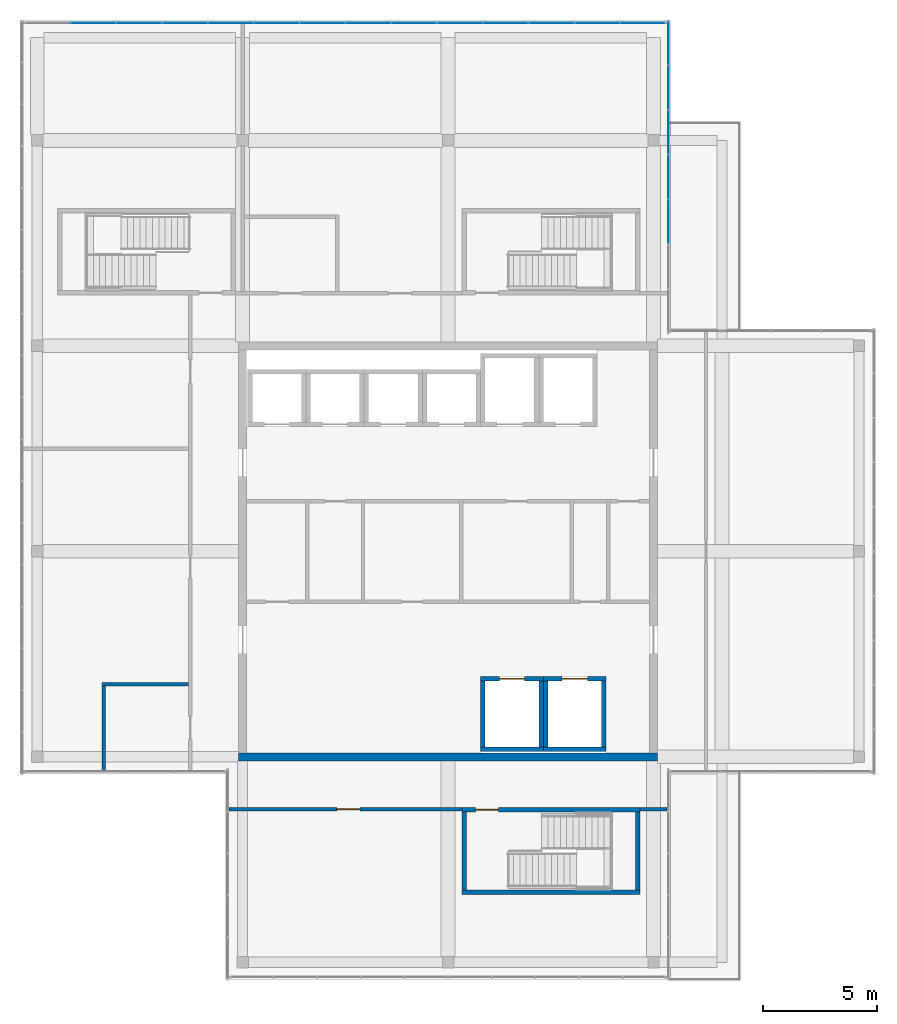
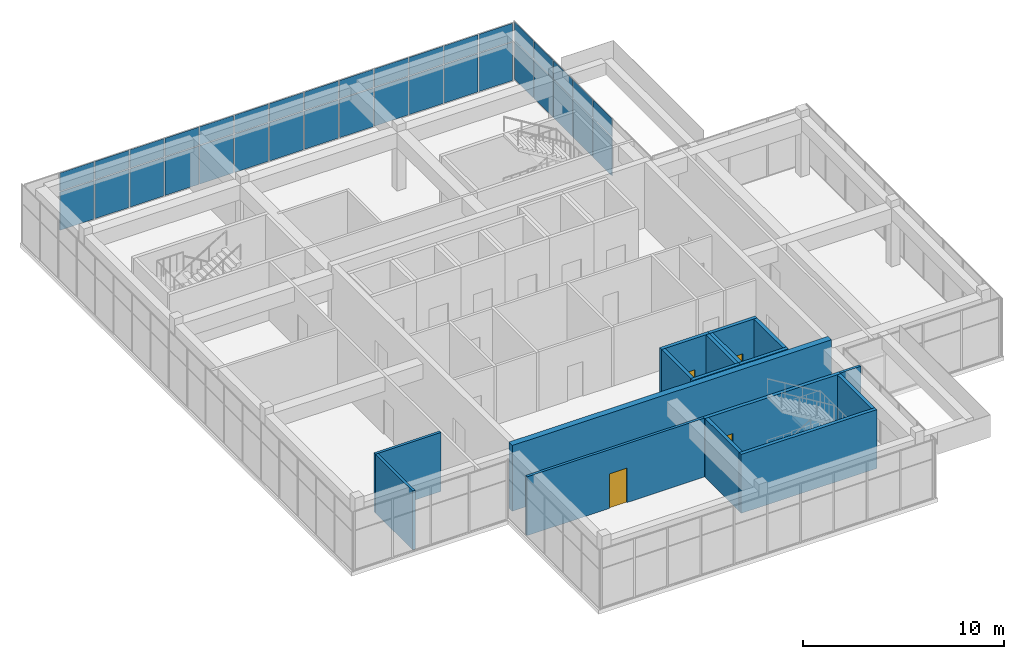
# One storey, part 32 of 36: 36 plates, 17 walls, 4 doors, 4 openings, 2 elements without a shape of their own.
"""IFC4 building model written with IfcOpenShell, lengths in metres."""

from ifc_helpers import new_model, si_unit, direction, frame, frame_2d, origin, origin_2d, place, context, subcontext, project, spatial, rectangle, extrude, material, layer, layer_set, type_object, element, fill, aggregate, save


model = new_model("IFC4")

# Units and contexts
model_context = context("Model", 3, precision=1e-05, world=origin(), true_north=direction((0.0, 1.0)))
body_context = subcontext(model_context, "Body", "Model", "MODEL_VIEW")
ifc_project = project(units=[si_unit("LENGTHUNIT", "METRE"), si_unit("AREAUNIT", "SQUARE_METRE"), si_unit("VOLUMEUNIT", "CUBIC_METRE"), si_unit("PLANEANGLEUNIT", "RADIAN"), si_unit("MASSUNIT", "GRAM", prefix="KILO")], contexts=[model_context])

# Site, building, storey
site_placement = place(None, origin())
site = spatial("IfcSite", under=ifc_project, at=site_placement, CompositionType="ELEMENT")
building_placement = place(site_placement, origin())
building = spatial("IfcBuilding", under=site, at=building_placement, Name="Tuart Plaza Theatre", CompositionType="ELEMENT")
storey_placement = place(building_placement, frame((0.0, 0.0, 61.5)))
storey = spatial("IfcBuildingStorey", under=building, at=storey_placement, Name="L15", CompositionType="ELEMENT", Elevation=61.5)

# Curtain wall, plates
ifc_material_1 = material(Name="Aluminium and glass", Category="aluminium")
ifc_layer_1 = layer(ifc_material_1, 0.10009765625)
ifc_layer_set_1 = layer_set([ifc_layer_1], Name="CURTAIN WALL 2000 module")
curtain_wall_type = type_object("IfcCurtainWallType", Name="CURTAIN WALL 2000 module", PredefinedType="NOTDEFINED", material=ifc_layer_set_1)
curtain_wall_1_placement = place(storey_placement, origin())
curtain_wall_1 = element("IfcCurtainWall", 1, at=curtain_wall_1_placement, inside=storey, type_object=curtain_wall_type, Name="CW116", PredefinedType="NOTDEFINED")
ifc_material_2 = material(Name="Glass", Category="glass")
ifc_layer_2 = layer(ifc_material_2, 0.028076171875)
ifc_layer_set_2 = layer_set([ifc_layer_2], Name="CURTAIN PANEL double glazed 28")
plate_type = type_object("IfcPlateType", Name="CURTAIN PANEL double glazed 28", PredefinedType="CURTAIN_PANEL", material=ifc_layer_set_2)
plate_1_placement = place(storey_placement, frame((141.64990234375, 88.44287109375, 0.0498046875), z_axis=(0.0, 0.0, 1.0), x_axis=(0.0, 1.0, 0.0)))
plate_1 = element("IfcPlate", 2, at=plate_1_placement, type_object=plate_type, Name="CW116 panel 3.1", PredefinedType="CURTAIN_PANEL", context=body_context, shape_type="SweptSolid", body=[
    extrude(rectangle(XDim=1.9072265625, YDim=0.028076171875, at=origin_2d()), origin(), (0.0, 0.0, 1.0), 2.324951171875),
])
plate_2_placement = place(storey_placement, frame((141.64990234375, 88.44287109375, 2.425048828125), z_axis=(0.0, 0.0, 1.0), x_axis=(0.0, 1.0, 0.0)))
plate_2 = element("IfcPlate", 3, at=plate_2_placement, type_object=plate_type, Name="CW116 panel 3.2", PredefinedType="CURTAIN_PANEL", context=body_context, shape_type="SweptSolid", body=[
    extrude(rectangle(XDim=1.9072265625, YDim=0.028076171875, at=origin_2d()), origin(), (0.0, 0.0, 1.0), 1.10498046875),
])
plate_3_placement = place(storey_placement, frame((141.64990234375, 90.39990234375, 0.0498046875), z_axis=(0.0, 0.0, 1.0), x_axis=(0.0, 1.0, 0.0)))
plate_3 = element("IfcPlate", 4, at=plate_3_placement, type_object=plate_type, Name="CW116 panel 4.1", PredefinedType="CURTAIN_PANEL", context=body_context, shape_type="SweptSolid", body=[
    extrude(rectangle(XDim=1.9072265625, YDim=0.028076171875, at=origin_2d()), origin(), (0.0, 0.0, 1.0), 2.324951171875),
])
plate_4_placement = place(storey_placement, frame((141.64990234375, 90.39990234375, 2.425048828125), z_axis=(0.0, 0.0, 1.0), x_axis=(0.0, 1.0, 0.0)))
plate_4 = element("IfcPlate", 5, at=plate_4_placement, type_object=plate_type, Name="CW116 panel 4.2", PredefinedType="CURTAIN_PANEL", context=body_context, shape_type="SweptSolid", body=[
    extrude(rectangle(XDim=1.9072265625, YDim=0.028076171875, at=origin_2d()), origin(), (0.0, 0.0, 1.0), 1.10498046875),
])
plate_5_placement = place(storey_placement, frame((141.64990234375, 92.357177734375, 0.0498046875), z_axis=(0.0, 0.0, 1.0), x_axis=(0.0, 1.0, 0.0)))
plate_5 = element("IfcPlate", 6, at=plate_5_placement, type_object=plate_type, Name="CW116 panel 5.1", PredefinedType="CURTAIN_PANEL", context=body_context, shape_type="SweptSolid", body=[
    extrude(rectangle(XDim=1.9072265625, YDim=0.028076171875, at=origin_2d()), origin(), (0.0, 0.0, 1.0), 2.324951171875),
])
plate_6_placement = place(storey_placement, frame((141.64990234375, 92.357177734375, 2.425048828125), z_axis=(0.0, 0.0, 1.0), x_axis=(0.0, 1.0, 0.0)))
plate_6 = element("IfcPlate", 7, at=plate_6_placement, type_object=plate_type, Name="CW116 panel 5.2", PredefinedType="CURTAIN_PANEL", context=body_context, shape_type="SweptSolid", body=[
    extrude(rectangle(XDim=1.9072265625, YDim=0.028076171875, at=origin_2d()), origin(), (0.0, 0.0, 1.0), 1.10498046875),
])
plate_7_placement = place(storey_placement, frame((141.64990234375, 94.314208984375, 0.0498046875), z_axis=(0.0, 0.0, 1.0), x_axis=(0.0, 1.0, 0.0)))
plate_7 = element("IfcPlate", 8, at=plate_7_placement, type_object=plate_type, Name="CW116 panel 6.1", PredefinedType="CURTAIN_PANEL", context=body_context, shape_type="SweptSolid", body=[
    extrude(rectangle(XDim=1.9072265625, YDim=0.028076171875, at=origin_2d()), origin(), (0.0, 0.0, 1.0), 2.324951171875),
])
plate_8_placement = place(storey_placement, frame((141.64990234375, 94.314208984375, 2.425048828125), z_axis=(0.0, 0.0, 1.0), x_axis=(0.0, 1.0, 0.0)))
plate_8 = element("IfcPlate", 9, at=plate_8_placement, type_object=plate_type, Name="CW116 panel 6.2", PredefinedType="CURTAIN_PANEL", context=body_context, shape_type="SweptSolid", body=[
    extrude(rectangle(XDim=1.9072265625, YDim=0.028076171875, at=origin_2d()), origin(), (0.0, 0.0, 1.0), 1.10498046875),
])
plate_9_placement = place(storey_placement, frame((141.64990234375, 96.259033203125, 0.0498046875), z_axis=(0.0, 0.0, 1.0), x_axis=(0.0, 1.0, 0.0)))
plate_9 = element("IfcPlate", 10, at=plate_9_placement, type_object=plate_type, Name="CW116 panel 7.1", PredefinedType="CURTAIN_PANEL", context=body_context, shape_type="SweptSolid", body=[
    extrude(rectangle(XDim=1.882080078125, YDim=0.028076171875, at=origin_2d()), origin(), (0.0, 0.0, 1.0), 2.324951171875),
])
plate_10_placement = place(storey_placement, frame((141.64990234375, 96.259033203125, 2.425048828125), z_axis=(0.0, 0.0, 1.0), x_axis=(0.0, 1.0, 0.0)))
plate_10 = element("IfcPlate", 11, at=plate_10_placement, type_object=plate_type, Name="CW116 panel 7.2", PredefinedType="CURTAIN_PANEL", context=body_context, shape_type="SweptSolid", body=[
    extrude(rectangle(XDim=1.882080078125, YDim=0.028076171875, at=origin_2d()), origin(), (0.0, 0.0, 1.0), 1.10498046875),
])
aggregate(curtain_wall_1, [plate_1, plate_2, plate_3, plate_4, plate_5, plate_6, plate_7, plate_8, plate_9, plate_10])

curtain_wall_2_placement = place(storey_placement, origin())
curtain_wall_2 = element("IfcCurtainWall", 12, at=curtain_wall_2_placement, inside=storey, type_object=curtain_wall_type, Name="CW117", PredefinedType="NOTDEFINED")
plate_11_placement = place(storey_placement, frame((140.533935546875, 97.14990234375, 0.0498046875), z_axis=(0.0, 0.0, 1.0), x_axis=(-1.0, 0.0, 0.0)))
plate_11 = element("IfcPlate", 13, at=plate_11_placement, type_object=plate_type, Name="CW117 panel 1.1", PredefinedType="CURTAIN_PANEL", context=body_context, shape_type="SweptSolid", body=[
    extrude(rectangle(XDim=1.93212890625, YDim=0.028076171875, at=origin_2d()), origin(), (0.0, 0.0, 1.0), 2.324951171875),
])
plate_12_placement = place(storey_placement, frame((140.533935546875, 97.14990234375, 2.425048828125), z_axis=(0.0, 0.0, 1.0), x_axis=(-1.0, 0.0, 0.0)))
plate_12 = element("IfcPlate", 14, at=plate_12_placement, type_object=plate_type, Name="CW117 panel 1.2", PredefinedType="CURTAIN_PANEL", context=body_context, shape_type="SweptSolid", body=[
    extrude(rectangle(XDim=1.93212890625, YDim=0.028076171875, at=origin_2d()), origin(), (0.0, 0.0, 1.0), 1.10498046875),
])
plate_13_placement = place(storey_placement, frame((138.539306640625, 97.14990234375, 0.0498046875), z_axis=(0.0, 0.0, 1.0), x_axis=(-1.0, 0.0, 0.0)))
plate_13 = element("IfcPlate", 15, at=plate_13_placement, type_object=plate_type, Name="CW117 panel 2.1", PredefinedType="CURTAIN_PANEL", context=body_context, shape_type="SweptSolid", body=[
    extrude(rectangle(XDim=1.95703125, YDim=0.028076171875, at=origin_2d()), origin(), (0.0, 0.0, 1.0), 2.324951171875),
])
plate_14_placement = place(storey_placement, frame((138.539306640625, 97.14990234375, 2.425048828125), z_axis=(0.0, 0.0, 1.0), x_axis=(-1.0, 0.0, 0.0)))
plate_14 = element("IfcPlate", 16, at=plate_14_placement, type_object=plate_type, Name="CW117 panel 2.2", PredefinedType="CURTAIN_PANEL", context=body_context, shape_type="SweptSolid", body=[
    extrude(rectangle(XDim=1.95703125, YDim=0.028076171875, at=origin_2d()), origin(), (0.0, 0.0, 1.0), 1.10498046875),
])
plate_15_placement = place(storey_placement, frame((136.5322265625, 97.14990234375, 0.0498046875), z_axis=(0.0, 0.0, 1.0), x_axis=(-1.0, 0.0, 0.0)))
plate_15 = element("IfcPlate", 17, at=plate_15_placement, type_object=plate_type, Name="CW117 panel 3.1", PredefinedType="CURTAIN_PANEL", context=body_context, shape_type="SweptSolid", body=[
    extrude(rectangle(XDim=1.95703125, YDim=0.028076171875, at=origin_2d()), origin(), (0.0, 0.0, 1.0), 2.324951171875),
])
plate_16_placement = place(storey_placement, frame((136.5322265625, 97.14990234375, 2.425048828125), z_axis=(0.0, 0.0, 1.0), x_axis=(-1.0, 0.0, 0.0)))
plate_16 = element("IfcPlate", 18, at=plate_16_placement, type_object=plate_type, Name="CW117 panel 3.2", PredefinedType="CURTAIN_PANEL", context=body_context, shape_type="SweptSolid", body=[
    extrude(rectangle(XDim=1.95703125, YDim=0.028076171875, at=origin_2d()), origin(), (0.0, 0.0, 1.0), 1.10498046875),
])
plate_17_placement = place(storey_placement, frame((134.52490234375, 97.14990234375, 0.0498046875), z_axis=(0.0, 0.0, 1.0), x_axis=(-1.0, 0.0, 0.0)))
plate_17 = element("IfcPlate", 19, at=plate_17_placement, type_object=plate_type, Name="CW117 panel 4.1", PredefinedType="CURTAIN_PANEL", context=body_context, shape_type="SweptSolid", body=[
    extrude(rectangle(XDim=1.95703125, YDim=0.028076171875, at=origin_2d()), origin(), (0.0, 0.0, 1.0), 2.324951171875),
])
plate_18_placement = place(storey_placement, frame((134.52490234375, 97.14990234375, 2.425048828125), z_axis=(0.0, 0.0, 1.0), x_axis=(-1.0, 0.0, 0.0)))
plate_18 = element("IfcPlate", 20, at=plate_18_placement, type_object=plate_type, Name="CW117 panel 4.2", PredefinedType="CURTAIN_PANEL", context=body_context, shape_type="SweptSolid", body=[
    extrude(rectangle(XDim=1.95703125, YDim=0.028076171875, at=origin_2d()), origin(), (0.0, 0.0, 1.0), 1.10498046875),
])
plate_19_placement = place(storey_placement, frame((132.517822265625, 97.14990234375, 0.0498046875), z_axis=(0.0, 0.0, 1.0), x_axis=(-1.0, 0.0, 0.0)))
plate_19 = element("IfcPlate", 21, at=plate_19_placement, type_object=plate_type, Name="CW117 panel 5.1", PredefinedType="CURTAIN_PANEL", context=body_context, shape_type="SweptSolid", body=[
    extrude(rectangle(XDim=1.95703125, YDim=0.028076171875, at=origin_2d()), origin(), (0.0, 0.0, 1.0), 2.324951171875),
])
plate_20_placement = place(storey_placement, frame((132.517822265625, 97.14990234375, 2.425048828125), z_axis=(0.0, 0.0, 1.0), x_axis=(-1.0, 0.0, 0.0)))
plate_20 = element("IfcPlate", 22, at=plate_20_placement, type_object=plate_type, Name="CW117 panel 5.2", PredefinedType="CURTAIN_PANEL", context=body_context, shape_type="SweptSolid", body=[
    extrude(rectangle(XDim=1.95703125, YDim=0.028076171875, at=origin_2d()), origin(), (0.0, 0.0, 1.0), 1.10498046875),
])
plate_21_placement = place(storey_placement, frame((130.5107421875, 97.14990234375, 0.0498046875), z_axis=(0.0, 0.0, 1.0), x_axis=(-1.0, 0.0, 0.0)))
plate_21 = element("IfcPlate", 23, at=plate_21_placement, type_object=plate_type, Name="CW117 panel 6.1", PredefinedType="CURTAIN_PANEL", context=body_context, shape_type="SweptSolid", body=[
    extrude(rectangle(XDim=1.95703125, YDim=0.028076171875, at=origin_2d()), origin(), (0.0, 0.0, 1.0), 2.324951171875),
])
plate_22_placement = place(storey_placement, frame((130.5107421875, 97.14990234375, 2.425048828125), z_axis=(0.0, 0.0, 1.0), x_axis=(-1.0, 0.0, 0.0)))
plate_22 = element("IfcPlate", 24, at=plate_22_placement, type_object=plate_type, Name="CW117 panel 6.2", PredefinedType="CURTAIN_PANEL", context=body_context, shape_type="SweptSolid", body=[
    extrude(rectangle(XDim=1.95703125, YDim=0.028076171875, at=origin_2d()), origin(), (0.0, 0.0, 1.0), 1.10498046875),
])
plate_23_placement = place(storey_placement, frame((128.503662109375, 97.14990234375, 0.0498046875), z_axis=(0.0, 0.0, 1.0), x_axis=(-1.0, 0.0, 0.0)))
plate_23 = element("IfcPlate", 25, at=plate_23_placement, type_object=plate_type, Name="CW117 panel 7.1", PredefinedType="CURTAIN_PANEL", context=body_context, shape_type="SweptSolid", body=[
    extrude(rectangle(XDim=1.95703125, YDim=0.028076171875, at=origin_2d()), origin(), (0.0, 0.0, 1.0), 2.324951171875),
])
plate_24_placement = place(storey_placement, frame((128.503662109375, 97.14990234375, 2.425048828125), z_axis=(0.0, 0.0, 1.0), x_axis=(-1.0, 0.0, 0.0)))
plate_24 = element("IfcPlate", 26, at=plate_24_placement, type_object=plate_type, Name="CW117 panel 7.2", PredefinedType="CURTAIN_PANEL", context=body_context, shape_type="SweptSolid", body=[
    extrude(rectangle(XDim=1.95703125, YDim=0.028076171875, at=origin_2d()), origin(), (0.0, 0.0, 1.0), 1.10498046875),
])
plate_25_placement = place(storey_placement, frame((126.496337890625, 97.14990234375, 0.0498046875), z_axis=(0.0, 0.0, 1.0), x_axis=(-1.0, 0.0, 0.0)))
plate_25 = element("IfcPlate", 27, at=plate_25_placement, type_object=plate_type, Name="CW117 panel 8.1", PredefinedType="CURTAIN_PANEL", context=body_context, shape_type="SweptSolid", body=[
    extrude(rectangle(XDim=1.95703125, YDim=0.028076171875, at=origin_2d()), origin(), (0.0, 0.0, 1.0), 2.324951171875),
])
plate_26_placement = place(storey_placement, frame((126.496337890625, 97.14990234375, 2.425048828125), z_axis=(0.0, 0.0, 1.0), x_axis=(-1.0, 0.0, 0.0)))
plate_26 = element("IfcPlate", 28, at=plate_26_placement, type_object=plate_type, Name="CW117 panel 8.2", PredefinedType="CURTAIN_PANEL", context=body_context, shape_type="SweptSolid", body=[
    extrude(rectangle(XDim=1.95703125, YDim=0.028076171875, at=origin_2d()), origin(), (0.0, 0.0, 1.0), 1.10498046875),
])
plate_27_placement = place(storey_placement, frame((124.4892578125, 97.14990234375, 0.0498046875), z_axis=(0.0, 0.0, 1.0), x_axis=(-1.0, 0.0, 0.0)))
plate_27 = element("IfcPlate", 29, at=plate_27_placement, type_object=plate_type, Name="CW117 panel 9.1", PredefinedType="CURTAIN_PANEL", context=body_context, shape_type="SweptSolid", body=[
    extrude(rectangle(XDim=1.95703125, YDim=0.028076171875, at=origin_2d()), origin(), (0.0, 0.0, 1.0), 2.324951171875),
])
plate_28_placement = place(storey_placement, frame((124.4892578125, 97.14990234375, 2.425048828125), z_axis=(0.0, 0.0, 1.0), x_axis=(-1.0, 0.0, 0.0)))
plate_28 = element("IfcPlate", 30, at=plate_28_placement, type_object=plate_type, Name="CW117 panel 9.2", PredefinedType="CURTAIN_PANEL", context=body_context, shape_type="SweptSolid", body=[
    extrude(rectangle(XDim=1.95703125, YDim=0.028076171875, at=origin_2d()), origin(), (0.0, 0.0, 1.0), 1.10498046875),
])
plate_29_placement = place(storey_placement, frame((122.482177734375, 97.14990234375, 0.0498046875), z_axis=(0.0, 0.0, 1.0), x_axis=(-1.0, 0.0, 0.0)))
plate_29 = element("IfcPlate", 31, at=plate_29_placement, type_object=plate_type, Name="CW117 panel 10.1", PredefinedType="CURTAIN_PANEL", context=body_context, shape_type="SweptSolid", body=[
    extrude(rectangle(XDim=1.95703125, YDim=0.028076171875, at=origin_2d()), origin(), (0.0, 0.0, 1.0), 2.324951171875),
])
plate_30_placement = place(storey_placement, frame((122.482177734375, 97.14990234375, 2.425048828125), z_axis=(0.0, 0.0, 1.0), x_axis=(-1.0, 0.0, 0.0)))
plate_30 = element("IfcPlate", 32, at=plate_30_placement, type_object=plate_type, Name="CW117 panel 10.2", PredefinedType="CURTAIN_PANEL", context=body_context, shape_type="SweptSolid", body=[
    extrude(rectangle(XDim=1.95703125, YDim=0.028076171875, at=origin_2d()), origin(), (0.0, 0.0, 1.0), 1.10498046875),
])
plate_31_placement = place(storey_placement, frame((120.47509765625, 97.14990234375, 0.0498046875), z_axis=(0.0, 0.0, 1.0), x_axis=(-1.0, 0.0, 0.0)))
plate_31 = element("IfcPlate", 33, at=plate_31_placement, type_object=plate_type, Name="CW117 panel 11.1", PredefinedType="CURTAIN_PANEL", context=body_context, shape_type="SweptSolid", body=[
    extrude(rectangle(XDim=1.95703125, YDim=0.028076171875, at=origin_2d()), origin(), (0.0, 0.0, 1.0), 2.324951171875),
])
plate_32_placement = place(storey_placement, frame((120.47509765625, 97.14990234375, 2.425048828125), z_axis=(0.0, 0.0, 1.0), x_axis=(-1.0, 0.0, 0.0)))
plate_32 = element("IfcPlate", 34, at=plate_32_placement, type_object=plate_type, Name="CW117 panel 11.2", PredefinedType="CURTAIN_PANEL", context=body_context, shape_type="SweptSolid", body=[
    extrude(rectangle(XDim=1.95703125, YDim=0.028076171875, at=origin_2d()), origin(), (0.0, 0.0, 1.0), 1.10498046875),
])
plate_33_placement = place(storey_placement, frame((118.4677734375, 97.14990234375, 0.0498046875), z_axis=(0.0, 0.0, 1.0), x_axis=(-1.0, 0.0, 0.0)))
plate_33 = element("IfcPlate", 35, at=plate_33_placement, type_object=plate_type, Name="CW117 panel 12.1", PredefinedType="CURTAIN_PANEL", context=body_context, shape_type="SweptSolid", body=[
    extrude(rectangle(XDim=1.95703125, YDim=0.028076171875, at=origin_2d()), origin(), (0.0, 0.0, 1.0), 2.324951171875),
])
plate_34_placement = place(storey_placement, frame((118.4677734375, 97.14990234375, 2.425048828125), z_axis=(0.0, 0.0, 1.0), x_axis=(-1.0, 0.0, 0.0)))
plate_34 = element("IfcPlate", 36, at=plate_34_placement, type_object=plate_type, Name="CW117 panel 12.2", PredefinedType="CURTAIN_PANEL", context=body_context, shape_type="SweptSolid", body=[
    extrude(rectangle(XDim=1.95703125, YDim=0.028076171875, at=origin_2d()), origin(), (0.0, 0.0, 1.0), 1.10498046875),
])
plate_35_placement = place(storey_placement, frame((116.460693359375, 97.14990234375, 0.0498046875), z_axis=(0.0, 0.0, 1.0), x_axis=(-1.0, 0.0, 0.0)))
plate_35 = element("IfcPlate", 37, at=plate_35_placement, type_object=plate_type, Name="CW117 panel 13.1", PredefinedType="CURTAIN_PANEL", context=body_context, shape_type="SweptSolid", body=[
    extrude(rectangle(XDim=1.95703125, YDim=0.028076171875, at=origin_2d()), origin(), (0.0, 0.0, 1.0), 2.324951171875),
])
plate_36_placement = place(storey_placement, frame((116.460693359375, 97.14990234375, 2.425048828125), z_axis=(0.0, 0.0, 1.0), x_axis=(-1.0, 0.0, 0.0)))
plate_36 = element("IfcPlate", 38, at=plate_36_placement, type_object=plate_type, Name="CW117 panel 13.2", PredefinedType="CURTAIN_PANEL", context=body_context, shape_type="SweptSolid", body=[
    extrude(rectangle(XDim=1.95703125, YDim=0.028076171875, at=origin_2d()), origin(), (0.0, 0.0, 1.0), 1.10498046875),
])
aggregate(curtain_wall_2, [plate_11, plate_12, plate_13, plate_14, plate_15, plate_16, plate_17, plate_18, plate_19, plate_20, plate_21, plate_22, plate_23, plate_24, plate_25, plate_26, plate_27, plate_28, plate_29, plate_30, plate_31, plate_32, plate_33, plate_34, plate_35, plate_36])

# Wall, opening, door
ifc_material_3 = material(Name="Masonry block", Category="masonry")
ifc_layer_3 = layer(ifc_material_3, 0.14990234375)
ifc_layer_set_3 = layer_set([ifc_layer_3], Name="PARTITION BLK150 MASONRYB FRL 120/-/-")
wall_type_1 = type_object("IfcWallType", Name="PARTITION BLK150 MASONRYB FRL 120/-/-", PredefinedType="PARTITIONING", material=ifc_layer_set_3)
wall_1_placement = place(storey_placement, frame((132.60009765625, 62.699951171875, 0.0), z_axis=(0.0, 0.0, 1.0), x_axis=(-1.0, 0.0, 0.0)))
wall_1 = element("IfcWall", 39, at=wall_1_placement, inside=storey, type_object=wall_type_1, Name="P709", PredefinedType="PARTITIONING", context=body_context, shape_type="SweptSolid", body=[
    extrude(rectangle(XDim=10.2001953125, YDim=0.14990234375, at=frame_2d((5.10009765625, 0.0))), origin(), (0.0, 0.0, 1.0), 3.580078125),
])
opening_1_placement = place(wall_1_placement, frame((4.465087890625, 0.0, 0.0)))
opening_1 = element("IfcOpeningElement", 40, at=opening_1_placement, cuts=wall_1, Name="Opening L15-024", PredefinedType="OPENING", context=body_context, shape_type="SweptSolid", body=[
    extrude(rectangle(XDim=1.0, YDim=2.10009765625, at=frame_2d((0.5, 1.050048828125))), frame((0.0, 0.0849609375, 0.0), z_axis=(0.0, -1.0, 0.0), x_axis=(1.0, 0.0, 0.0)), (0.0, 0.0, 1.0), 0.169921875),
])
ifc_material_4 = material(Name="Timber", Category="wood")
door_type_1 = type_object("IfcDoorType", Name="DOOR 1000x2100 timber single swing FRL -/60/30", OperationType="SINGLE_SWING_LEFT", PredefinedType="DOOR", material=ifc_material_4)
door_1_placement = place(opening_1_placement, origin())
door_1 = element("IfcDoor", 41, at=door_1_placement, inside=storey, type_object=door_type_1, Name="L15-024", OperationType="SINGLE_SWING_RIGHT", OverallHeight=2.10009765625, OverallWidth=1.0, PredefinedType="DOOR", context=body_context, shape_type="SweptSolid", body=[
    extrude(rectangle(XDim=1.0, YDim=2.10009765625, at=frame_2d((0.5, 1.050048828125))), frame((0.0, 0.02490234375, 0.0), z_axis=(0.0, -1.0, 0.0), x_axis=(1.0, 0.0, 0.0)), (0.0, 0.0, 1.0), 0.050048828125),
])
fill(opening_1, door_1)

# Walls
wall_2_placement = place(storey_placement, frame((141.60009765625, 62.699951171875, 0.0), z_axis=(0.0, 0.0, 1.0), x_axis=(-1.0, 0.0, 0.0)))
element("IfcWall", 42, at=wall_2_placement, inside=storey, type_object=wall_type_1, Name="P710", PredefinedType="PARTITIONING", context=body_context, shape_type="SweptSolid", body=[
    extrude(rectangle(XDim=1.2001953125, YDim=0.14990234375, at=frame_2d((0.60009765625, 0.0))), origin(), (0.0, 0.0, 1.0), 3.580078125),
])
wall_3_placement = place(storey_placement, frame((116.925048828125, 64.39990234375, 0.0), z_axis=(0.0, 0.0, 1.0), x_axis=(0.0, 1.0, 0.0)))
element("IfcWall", 43, at=wall_3_placement, inside=storey, type_object=wall_type_1, Name="P717", PredefinedType="PARTITIONING", context=body_context, shape_type="SweptSolid", body=[
    extrude(rectangle(XDim=3.7001953125, YDim=0.14990234375, at=frame_2d((1.85009765625, 0.0))), origin(), (0.0, 0.0, 1.0), 3.580078125),
])
wall_4_placement = place(storey_placement, frame((120.625, 68.175048828125, 0.0), z_axis=(0.0, 0.0, 1.0), x_axis=(-1.0, 0.0, 0.0)))
element("IfcWall", 44, at=wall_4_placement, inside=storey, type_object=wall_type_1, Name="P718", PredefinedType="PARTITIONING", context=body_context, shape_type="SweptSolid", body=[
    extrude(rectangle(XDim=3.77490234375, YDim=0.14990234375, at=frame_2d((1.887451171875, 0.0))), origin(), (0.0, 0.0, 1.0), 3.580078125),
])
ifc_material_5 = material(Name="Concrete N40 (40 MPa)", Category="concrete")
ifc_layer_4 = layer(ifc_material_5, 0.199951171875)
ifc_layer_set_4 = layer_set([ifc_layer_4], Name="SHEAR WALL RC200 FRL 120/120/120")
wall_type_2 = type_object("IfcWallType", Name="SHEAR WALL RC200 FRL 120/120/120", PredefinedType="SHEAR", material=ifc_layer_set_4)
wall_5_placement = place(storey_placement, frame((133.425048828125, 65.324951171875, 0.0), z_axis=(0.0, 0.0, 1.0), x_axis=(1.0, 0.0, 0.0)))
element("IfcWall", 45, at=wall_5_placement, inside=storey, type_object=wall_type_2, Name="W1074", PredefinedType="SHEAR", context=body_context, shape_type="SweptSolid", body=[
    extrude(rectangle(XDim=2.75, YDim=0.199951171875, at=frame_2d((1.375, 0.0))), origin(), (0.0, 0.0, 1.0), 4.0),
])
wall_6_placement = place(storey_placement, frame((136.074951171875, 65.425048828125, 0.0), z_axis=(0.0, 0.0, 1.0), x_axis=(0.0, 1.0, 0.0)))
element("IfcWall", 46, at=wall_6_placement, inside=storey, type_object=wall_type_2, Name="W1075", PredefinedType="SHEAR", context=body_context, shape_type="SweptSolid", body=[
    extrude(rectangle(XDim=2.89990234375, YDim=0.199951171875, at=frame_2d((1.449951171875, 0.0))), origin(), (0.0, 0.0, 1.0), 4.0),
])

# Wall, opening, door
wall_7_placement = place(storey_placement, frame((136.175048828125, 68.425048828125, 0.0), z_axis=(0.0, 0.0, 1.0), x_axis=(-1.0, 0.0, 0.0)))
wall_7 = element("IfcWall", 47, at=wall_7_placement, inside=storey, type_object=wall_type_2, Name="W1076", PredefinedType="SHEAR", context=body_context, shape_type="SweptSolid", body=[
    extrude(rectangle(XDim=2.75, YDim=0.199951171875, at=frame_2d((1.375, 0.0))), origin(), (0.0, 0.0, 1.0), 4.0),
])
opening_2_placement = place(wall_7_placement, frame((0.824951171875, 0.0, 0.0)))
opening_2 = element("IfcOpeningElement", 48, at=opening_2_placement, cuts=wall_7, Name="Opening L15-005", PredefinedType="OPENING", context=body_context, shape_type="SweptSolid", body=[
    extrude(rectangle(XDim=1.10009765625, YDim=2.10009765625, at=frame_2d((0.550048828125, 1.050048828125))), frame((0.0, 0.10986328125, 0.0), z_axis=(0.0, -1.0, 0.0), x_axis=(1.0, 0.0, 0.0)), (0.0, 0.0, 1.0), 0.219970703125),
])
ifc_material_6 = material(Name="Steel Grade 300", Category="steel")
door_type_2 = type_object("IfcDoorType", Name="LANDING DOOR 1100x2100 steel sliding FRL -/120/30", OperationType="SLIDING_TO_LEFT", PredefinedType="DOOR", material=ifc_material_6)
door_2_placement = place(opening_2_placement, origin())
door_2 = element("IfcDoor", 49, at=door_2_placement, inside=storey, type_object=door_type_2, Name="L15-005", OperationType="SLIDING_TO_LEFT", OverallHeight=2.10009765625, OverallWidth=1.10009765625, PredefinedType="DOOR", context=body_context, shape_type="SweptSolid", body=[
    extrude(rectangle(XDim=1.10009765625, YDim=2.10009765625, at=frame_2d((0.550048828125, 1.050048828125))), frame((0.0, 0.02490234375, 0.0), z_axis=(0.0, -1.0, 0.0), x_axis=(1.0, 0.0, 0.0)), (0.0, 0.0, 1.0), 0.050048828125),
])
fill(opening_2, door_2)

# Walls
wall_8_placement = place(storey_placement, frame((133.52490234375, 68.324951171875, 0.0), z_axis=(0.0, 0.0, 1.0), x_axis=(0.0, -1.0, 0.0)))
element("IfcWall", 50, at=wall_8_placement, inside=storey, type_object=wall_type_2, Name="W1077", PredefinedType="SHEAR", context=body_context, shape_type="SweptSolid", body=[
    extrude(rectangle(XDim=2.89990234375, YDim=0.199951171875, at=frame_2d((1.449951171875, 0.0))), origin(), (0.0, 0.0, 1.0), 4.0),
])
wall_9_placement = place(storey_placement, frame((136.175048828125, 65.324951171875, 0.0), z_axis=(0.0, 0.0, 1.0), x_axis=(1.0, 0.0, 0.0)))
element("IfcWall", 51, at=wall_9_placement, inside=storey, type_object=wall_type_2, Name="W1150", PredefinedType="SHEAR", context=body_context, shape_type="SweptSolid", body=[
    extrude(rectangle(XDim=2.75, YDim=0.199951171875, at=frame_2d((1.375, 0.0))), origin(), (0.0, 0.0, 1.0), 4.0),
])
wall_10_placement = place(storey_placement, frame((138.824951171875, 65.425048828125, 0.0), z_axis=(0.0, 0.0, 1.0), x_axis=(0.0, 1.0, 0.0)))
element("IfcWall", 52, at=wall_10_placement, inside=storey, type_object=wall_type_2, Name="W1151", PredefinedType="SHEAR", context=body_context, shape_type="SweptSolid", body=[
    extrude(rectangle(XDim=2.89990234375, YDim=0.199951171875, at=frame_2d((1.449951171875, 0.0))), origin(), (0.0, 0.0, 1.0), 4.0),
])

# Wall, opening, door
wall_11_placement = place(storey_placement, frame((138.925048828125, 68.425048828125, 0.0), z_axis=(0.0, 0.0, 1.0), x_axis=(-1.0, 0.0, 0.0)))
wall_11 = element("IfcWall", 53, at=wall_11_placement, inside=storey, type_object=wall_type_2, Name="W1152", PredefinedType="SHEAR", context=body_context, shape_type="SweptSolid", body=[
    extrude(rectangle(XDim=2.75, YDim=0.199951171875, at=frame_2d((1.375, 0.0))), origin(), (0.0, 0.0, 1.0), 4.0),
])
opening_3_placement = place(wall_11_placement, frame((0.824951171875, 0.0, 0.0)))
opening_3 = element("IfcOpeningElement", 54, at=opening_3_placement, cuts=wall_11, Name="Opening L15-006", PredefinedType="OPENING", context=body_context, shape_type="SweptSolid", body=[
    extrude(rectangle(XDim=1.10009765625, YDim=2.10009765625, at=frame_2d((0.550048828125, 1.050048828125))), frame((0.0, 0.10986328125, 0.0), z_axis=(0.0, -1.0, 0.0), x_axis=(1.0, 0.0, 0.0)), (0.0, 0.0, 1.0), 0.219970703125),
])
door_3_placement = place(opening_3_placement, origin())
door_3 = element("IfcDoor", 55, at=door_3_placement, inside=storey, type_object=door_type_2, Name="L15-006", OperationType="SLIDING_TO_LEFT", OverallHeight=2.10009765625, OverallWidth=1.10009765625, PredefinedType="DOOR", context=body_context, shape_type="SweptSolid", body=[
    extrude(rectangle(XDim=1.10009765625, YDim=2.10009765625, at=frame_2d((0.550048828125, 1.050048828125))), frame((0.0, 0.02490234375, 0.0), z_axis=(0.0, -1.0, 0.0), x_axis=(1.0, 0.0, 0.0)), (0.0, 0.0, 1.0), 0.050048828125),
])
fill(opening_3, door_3)

# Walls
wall_12_placement = place(storey_placement, frame((136.27490234375, 68.324951171875, 0.0), z_axis=(0.0, 0.0, 1.0), x_axis=(0.0, -1.0, 0.0)))
element("IfcWall", 56, at=wall_12_placement, inside=storey, type_object=wall_type_2, Name="W1153", PredefinedType="SHEAR", context=body_context, shape_type="SweptSolid", body=[
    extrude(rectangle(XDim=2.89990234375, YDim=0.199951171875, at=frame_2d((1.449951171875, 0.0))), origin(), (0.0, 0.0, 1.0), 4.0),
])
wall_13_placement = place(storey_placement, frame((132.60009765625, 59.074951171875, 0.0), z_axis=(0.0, 0.0, 1.0), x_axis=(1.0, 0.0, 0.0)))
element("IfcWall", 57, at=wall_13_placement, inside=storey, type_object=wall_type_2, Name="P412", PredefinedType="SHEAR", context=body_context, shape_type="SweptSolid", body=[
    extrude(rectangle(XDim=7.7998046875, YDim=0.199951171875, at=frame_2d((3.89990234375, 0.0))), origin(), (0.0, 0.0, 1.0), 3.580078125),
])
wall_14_placement = place(storey_placement, frame((140.300048828125, 59.175048828125, 0.0), z_axis=(0.0, 0.0, 1.0), x_axis=(0.0, 1.0, 0.0)))
element("IfcWall", 58, at=wall_14_placement, inside=storey, type_object=wall_type_2, Name="P413", PredefinedType="SHEAR", context=body_context, shape_type="SweptSolid", body=[
    extrude(rectangle(XDim=3.39990234375, YDim=0.199951171875, at=frame_2d((1.699951171875, 0.0))), origin(), (0.0, 0.0, 1.0), 3.580078125),
])

# Wall, opening, door
wall_15_placement = place(storey_placement, frame((140.39990234375, 62.675048828125, 0.0), z_axis=(0.0, 0.0, 1.0), x_axis=(-1.0, 0.0, 0.0)))
wall_15 = element("IfcWall", 59, at=wall_15_placement, inside=storey, type_object=wall_type_2, Name="P414", PredefinedType="SHEAR", context=body_context, shape_type="SweptSolid", body=[
    extrude(rectangle(XDim=7.7998046875, YDim=0.199951171875, at=frame_2d((3.89990234375, 0.0))), origin(), (0.0, 0.0, 1.0), 3.580078125),
])
opening_4_placement = place(wall_15_placement, frame((6.199951171875, 0.0, 0.0)))
opening_4 = element("IfcOpeningElement", 60, at=opening_4_placement, cuts=wall_15, Name="Opening L15-009", PredefinedType="OPENING", context=body_context, shape_type="SweptSolid", body=[
    extrude(rectangle(XDim=1.0, YDim=2.10009765625, at=frame_2d((0.5, 1.050048828125))), frame((0.0, 0.10986328125, 0.0), z_axis=(0.0, -1.0, 0.0), x_axis=(1.0, 0.0, 0.0)), (0.0, 0.0, 1.0), 0.219970703125),
])
ifc_material_7 = material(Name="Steel Grade 300", Category="steel")
door_type_3 = type_object("IfcDoorType", Name="DOOR 1000x2100 steel single swing FRL -/120/30", OperationType="SINGLE_SWING_LEFT", PredefinedType="DOOR", material=ifc_material_7)
door_4_placement = place(opening_4_placement, origin())
door_4 = element("IfcDoor", 61, at=door_4_placement, inside=storey, type_object=door_type_3, Name="L15-009", OperationType="SINGLE_SWING_LEFT", OverallHeight=2.10009765625, OverallWidth=1.0, PredefinedType="DOOR", context=body_context, shape_type="SweptSolid", body=[
    extrude(rectangle(XDim=1.0, YDim=2.10009765625, at=frame_2d((0.5, 1.050048828125))), frame((0.0, 0.02490234375, 0.0), z_axis=(0.0, -1.0, 0.0), x_axis=(1.0, 0.0, 0.0)), (0.0, 0.0, 1.0), 0.050048828125),
])
fill(opening_4, door_4)

# Walls
wall_16_placement = place(storey_placement, frame((132.699951171875, 62.574951171875, 0.0), z_axis=(0.0, 0.0, 1.0), x_axis=(0.0, -1.0, 0.0)))
element("IfcWall", 62, at=wall_16_placement, inside=storey, type_object=wall_type_2, Name="P415", PredefinedType="SHEAR", context=body_context, shape_type="SweptSolid", body=[
    extrude(rectangle(XDim=3.39990234375, YDim=0.199951171875, at=frame_2d((1.699951171875, 0.0))), origin(), (0.0, 0.0, 1.0), 3.580078125),
])
ifc_material_8 = material(Name="Concrete N40 (40 MPa)", Category="concrete")
ifc_layer_5 = layer(ifc_material_8, 0.35009765625)
ifc_layer_set_5 = layer_set([ifc_layer_5], Name="SHEAR WALL RC350 FRL 120/120/120")
wall_type_3 = type_object("IfcWallType", Name="SHEAR WALL RC350 FRL 120/120/120", PredefinedType="SHEAR", material=ifc_layer_set_5)
wall_17_placement = place(storey_placement, frame((122.824951171875, 65.0, 0.0), z_axis=(0.0, 0.0, 1.0), x_axis=(1.0, 0.0, 0.0)))
element("IfcWall", 63, at=wall_17_placement, inside=storey, type_object=wall_type_3, Name="W427", PredefinedType="SHEAR", context=body_context, shape_type="SweptSolid", body=[
    extrude(rectangle(XDim=18.35009765625, YDim=0.35009765625, at=frame_2d((9.175048828125, 0.0))), origin(), (0.0, 0.0, 1.0), 4.0),
])

save(model, "model.ifc")
